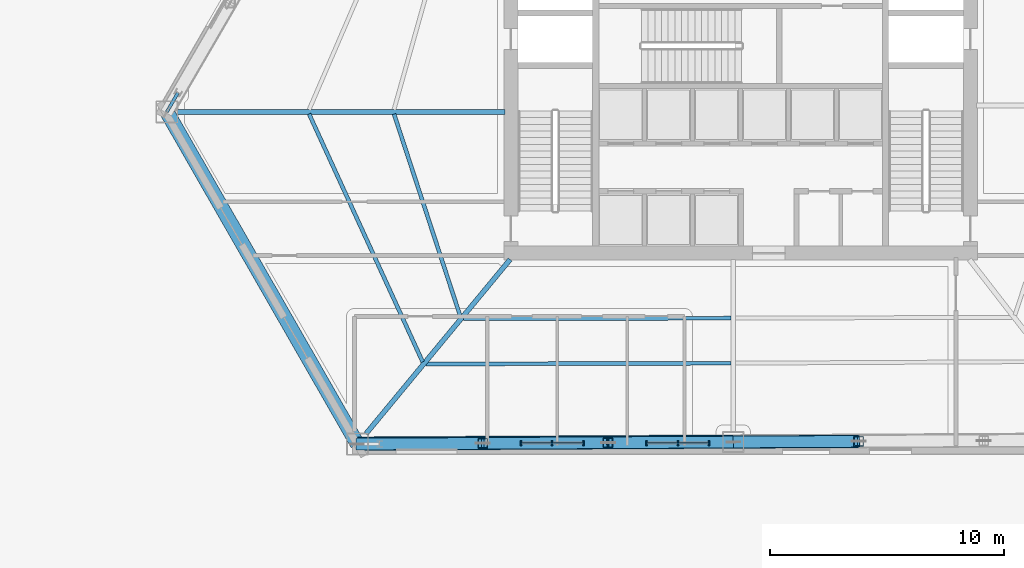
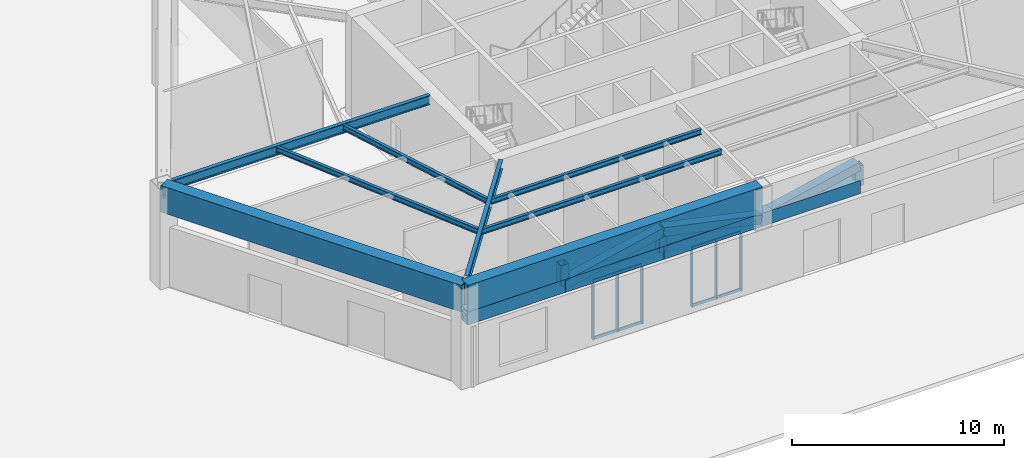
# One storey, part 4 of 20: 17 members, 13 beams, 2 elements without a shape of their own.
"""IFC4 building model written with IfcOpenShell, lengths in metres."""

from ifc_helpers import new_model, si_unit, direction, frame, origin, origin_2d, place, context, subcontext, project, spatial, rectangle, hollow_rectangle, i_section, extrude, material, layer, layer_set, material_profile, profile_set, type_object, element, aggregate, save


model = new_model("IFC4")

# Units and contexts
model_context = context("Model", 3, precision=1e-05, world=origin(), true_north=direction((0.0, 1.0)))
body_context = subcontext(model_context, "Body", "Model", "MODEL_VIEW")
ifc_project = project(units=[si_unit("LENGTHUNIT", "METRE"), si_unit("AREAUNIT", "SQUARE_METRE"), si_unit("VOLUMEUNIT", "CUBIC_METRE"), si_unit("PLANEANGLEUNIT", "RADIAN"), si_unit("MASSUNIT", "GRAM", prefix="KILO")], contexts=[model_context])

# Site, building, storey
site_placement = place(None, origin())
site = spatial("IfcSite", under=ifc_project, at=site_placement, CompositionType="ELEMENT")
building_placement = place(site_placement, origin())
building = spatial("IfcBuilding", under=site, at=building_placement, Name="Kavelnor Concourse Tower", CompositionType="ELEMENT")
storey_placement = place(building_placement, origin())
storey = spatial("IfcBuildingStorey", under=building, at=storey_placement, Name="L00", CompositionType="ELEMENT", Elevation=0.0)

# Beams
ifc_material_1 = material(Name="Steel Grade 350", Category="steel")
ifc_material_profile_1 = material_profile(ifc_material_1, i_section(OverallWidth=0.166015625, OverallDepth=0.306884765625, WebThickness=0.006591796875, FlangeThickness=0.01171875, at=origin_2d()), Name="310UB46")
ifc_profile_set_1 = profile_set([ifc_material_profile_1], Name="Steel Grade 350")
beam_type_1 = type_object("IfcBeamType", Name="BM-JOIST-310", PredefinedType="JOIST", material=ifc_profile_set_1)
beam_1_placement = place(storey_placement, frame((23.188720703125, 15.24609375, 5.58642578125), z_axis=(0.311389535049, -0.950282356703, 0.0), x_axis=(0.950282356703, 0.311389535049, 0.0)))
element("IfcBeam", 1, at=beam_1_placement, inside=storey, type_object=beam_type_1, Name="L00 Composite Floor Joist 01-1", PredefinedType="JOIST", context=body_context, shape_type="SweptSolid", body=[
    extrude(i_section(OverallWidth=0.166015625, OverallDepth=0.306884765625, WebThickness=0.006591796875, FlangeThickness=0.01171875, at=origin_2d()), origin(), (0.0, 0.0, 1.0), 9.105712890625),
])
beam_2_placement = place(storey_placement, frame((19.5576171875, 15.250244140625, 5.58642578125), z_axis=(0.416568886503, -0.909104153988, 0.0), x_axis=(0.909104153988, 0.416568886503, 0.0)))
element("IfcBeam", 2, at=beam_2_placement, inside=storey, type_object=beam_type_1, Name="L00 Composite Floor Joist 01-2", PredefinedType="JOIST", context=body_context, shape_type="SweptSolid", body=[
    extrude(i_section(OverallWidth=0.166015625, OverallDepth=0.306884765625, WebThickness=0.006591796875, FlangeThickness=0.01171875, at=origin_2d()), origin(), (0.0, 0.0, 1.0), 11.656494140625),
])
beam_3_placement = place(storey_placement, frame((26.15283203125, 6.5, 5.58642578125), z_axis=(0.999997855186, 0.002071140453, 0.0), x_axis=(-0.002071140453, 0.999997855186, 0.0)))
element("IfcBeam", 3, at=beam_3_placement, inside=storey, type_object=beam_type_1, Name="L00 Composite Floor Joist 02-1", PredefinedType="JOIST", context=body_context, shape_type="SweptSolid", body=[
    extrude(i_section(OverallWidth=0.166015625, OverallDepth=0.306884765625, WebThickness=0.006591796875, FlangeThickness=0.01171875, at=origin_2d()), origin(), (0.0, 0.0, 1.0), 11.43408203125),
])
beam_4_placement = place(storey_placement, frame((24.55224609375, 4.564453125, 5.58642578125), z_axis=(0.999996362753, 0.002697124485, 0.0), x_axis=(-0.002697124485, 0.999996362753, 0.0)))
element("IfcBeam", 4, at=beam_4_placement, inside=storey, type_object=beam_type_1, Name="L00 Composite Floor Joist 02-2", PredefinedType="JOIST", context=body_context, shape_type="SweptSolid", body=[
    extrude(i_section(OverallWidth=0.166015625, OverallDepth=0.306884765625, WebThickness=0.006591796875, FlangeThickness=0.01171875, at=origin_2d()), origin(), (0.0, 0.0, 1.0), 13.03466796875),
])
ifc_material_profile_2 = material_profile(ifc_material_1, i_section(OverallWidth=0.134033203125, OverallDepth=0.20703125, WebThickness=0.00634765625, FlangeThickness=0.009521484375, at=origin_2d()), Name="200UB29")
ifc_profile_set_2 = profile_set([ifc_material_profile_2], Name="Steel Grade 350")
beam_type_2 = type_object("IfcBeamType", Name="BM-LINTEL-200", PredefinedType="LINTEL", material=ifc_profile_set_2)
beam_5_placement = place(storey_placement, frame((13.479736328125, 15.33935546875, 4.89990234375), z_axis=(0.502464100164, 0.864598073122, 0.0), x_axis=(-0.864598073122, 0.502464100164, 0.0)))
element("IfcBeam", 5, at=beam_5_placement, inside=storey, type_object=beam_type_2, Name="L00 Pier Stiffener Header Lintel F0-B", PredefinedType="LINTEL", context=body_context, shape_type="SweptSolid", body=[
    extrude(i_section(OverallWidth=0.134033203125, OverallDepth=0.20703125, WebThickness=0.00634765625, FlangeThickness=0.009521484375, at=origin_2d()), origin(), (0.0, 0.0, 1.0), 0.949951171875),
])
ifc_material_profile_3 = material_profile(ifc_material_1, i_section(OverallWidth=0.208984375, OverallDepth=0.528076171875, WebThickness=0.009521484375, FlangeThickness=0.01318359375, at=origin_2d()), Name="530UB82")
ifc_profile_set_3 = profile_set([ifc_material_profile_3], Name="Steel Grade 350")
beam_type_3 = type_object("IfcBeamType", Name="BM-PRIMARY-530", PredefinedType="BEAM", material=ifc_profile_set_3)
beam_6_placement = place(storey_placement, frame((27.919921875, 15.33935546875, 5.47607421875), z_axis=(-1.0, 0.0, 0.0), x_axis=(0.0, -1.0, 0.0)))
element("IfcBeam", 6, at=beam_6_placement, inside=storey, type_object=beam_type_3, Name="L00 Primary Floor Girder MC-V2", PredefinedType="BEAM", context=body_context, shape_type="SweptSolid", body=[
    extrude(i_section(OverallWidth=0.208984375, OverallDepth=0.528076171875, WebThickness=0.009521484375, FlangeThickness=0.01318359375, at=origin_2d()), origin(), (0.0, 0.0, 1.0), 14.005126953125),
])
beam_7_placement = place(storey_placement, frame((28.147705078125, 9.03076171875, 5.47607421875), z_axis=(-0.6372836995, -0.770629279454, 0.0), x_axis=(0.770629279454, -0.6372836995, 0.0)))
element("IfcBeam", 7, at=beam_7_placement, inside=storey, type_object=beam_type_3, Name="L00 Primary Floor Girder MC-V3", PredefinedType="BEAM", context=body_context, shape_type="SweptSolid", body=[
    extrude(i_section(OverallWidth=0.208984375, OverallDepth=0.528076171875, WebThickness=0.009521484375, FlangeThickness=0.01318359375, at=origin_2d()), origin(), (0.0, 0.0, 1.0), 9.65966796875),
])
ifc_material_profile_4 = material_profile(ifc_material_1, hollow_rectangle(XDim=0.550048828125, YDim=0.75, WallThickness=0.034912109375, at=origin_2d()), Name="RHS 750x550x35")
ifc_profile_set_4 = profile_set([ifc_material_profile_4], Name="Steel Grade 350")
beam_type_4 = type_object("IfcBeamType", Name="BM-XFER-CHORD-750", PredefinedType="BEAM", material=ifc_profile_set_4)
for number, where, z_axis, x_axis, name in (
    (8, (21.62451171875, 1.142333984375, 3.81494140625), (0.999985026453, 0.005472373366, 0.0), (-0.005472373366, 0.999985026453, 0.0), "L00 Concourse Transfer Truss Bottom Chord F1-B0"),
    (9, (26.97802734375, 1.171630859375, 3.81494140625), (0.999985274967, 0.005426771603, 0.0), (-0.005426771603, 0.999985274967, 0.0), "L00 Concourse Transfer Truss Bottom Chord F1-B1"),
    (10, (32.33154296875, 1.20068359375, 3.81494140625), (0.999985026453, 0.005472373366, 0.0), (-0.005472373366, 0.999985026453, 0.0), "L00 Concourse Transfer Truss Bottom Chord F1-B2"),
    (11, (37.68505859375, 1.22998046875, 3.81494140625), (0.999985026453, 0.005472373366, 0.0), (-0.005472373366, 0.999985026453, 0.0), "L00 Concourse Transfer Truss Bottom Chord F1-B3"),
):
    element("IfcBeam", number, at=place(storey_placement, frame(where, z_axis=z_axis, x_axis=x_axis)), inside=storey, type_object=beam_type_4, Name=name, PredefinedType="BEAM", context=body_context, shape_type="SweptSolid", body=[
        extrude(hollow_rectangle(XDim=0.550048828125, YDim=0.75, WallThickness=0.034912109375, at=origin_2d()), origin(), (0.0, 0.0, 1.0), 5.353515625),
    ])
ifc_material_profile_5 = material_profile(ifc_material_1, hollow_rectangle(XDim=0.6201171875, YDim=1.52001953125, WallThickness=0.0400390625, at=origin_2d()), Name="RHS 1520x620x40")
ifc_profile_set_5 = profile_set([ifc_material_profile_5], Name="Steel Grade 350")
beam_type_5 = type_object("IfcBeamType", Name="BM-XFER-CHORD-850", PredefinedType="BEAM", material=ifc_profile_set_5)
beam_8_placement = place(storey_placement, frame((21.62451171875, 1.142333984375, 4.97998046875), z_axis=(0.999985109522, 0.005457172782, 0.0), x_axis=(-0.005457172782, 0.999985109522, 0.0)))
element("IfcBeam", 12, at=beam_8_placement, inside=storey, type_object=beam_type_5, Name="L00 Concourse Transfer Truss Top Chord Girder F1-S1", PredefinedType="BEAM", context=body_context, shape_type="SweptSolid", body=[
    extrude(hollow_rectangle(XDim=0.6201171875, YDim=1.52001953125, WallThickness=0.0400390625, at=origin_2d()), origin(), (0.0, 0.0, 1.0), 16.060791015625),
])
beam_9_placement = place(storey_placement, frame((13.479736328125, 15.33935546875, 4.97998046875), z_axis=(0.497620889823, -0.867394633377, 0.0), x_axis=(0.867394633377, 0.497620889823, 0.0)))
element("IfcBeam", 13, at=beam_9_placement, inside=storey, type_object=beam_type_5, Name="L00 Concourse Transfer Truss Corner Tie C1", PredefinedType="BEAM", context=body_context, shape_type="SweptSolid", body=[
    extrude(hollow_rectangle(XDim=0.6201171875, YDim=1.52001953125, WallThickness=0.0400390625, at=origin_2d()), origin(), (0.0, 0.0, 1.0), 16.367431640625),
])

# Curtain wall, members
ifc_material_2 = material(Name="Anodised aluminium 6063-T6", Category="aluminium")
ifc_layer = layer(ifc_material_2, 0.199951171875, Name="Anodised aluminium 6063-T6")
ifc_layer_set = layer_set([ifc_layer], Name="Anodised aluminium 6063-T6")
curtain_wall_type = type_object("IfcCurtainWallType", Name="CW-CONCOURSE", PredefinedType="NOTDEFINED", material=ifc_layer_set)
curtain_wall_1_placement = place(storey_placement, origin())
curtain_wall_1 = element("IfcCurtainWall", 14, at=curtain_wall_1_placement, inside=storey, type_object=curtain_wall_type, Name="L00 Street Concourse Shopfront Curtain Wall 5", PredefinedType="NOTDEFINED")
ifc_material_profile_6 = material_profile(ifc_material_2, rectangle(XDim=0.06494140625, YDim=0.199951171875, at=origin_2d()), Name="AL-MULL 65x200")
ifc_profile_set_6 = profile_set([ifc_material_profile_6], Name="Anodised aluminium 6063-T6")
member_type_1 = type_object("IfcMemberType", Name="CW-CONCOURSE-MULL", PredefinedType="MULLION", material=ifc_profile_set_6)
member_1_placement = place(storey_placement, frame((28.61474609375, 1.179931640625, 0.0), z_axis=(0.0, 0.0, 1.0), x_axis=(1.0, 0.0, 0.0)))
member_1 = element("IfcMember", 15, at=member_1_placement, type_object=member_type_1, Name="L00 Street Concourse Shopfront Curtain Wall 5 Mullion 0", PredefinedType="MULLION", context=body_context, shape_type="SweptSolid", body=[
    extrude(rectangle(XDim=0.06494140625, YDim=0.199951171875, at=origin_2d()), origin(), (0.0, 0.0, 1.0), 3.419921875),
])
member_2_placement = place(storey_placement, frame((29.948486328125, 1.179931640625, 0.0), z_axis=(0.0, 0.0, 1.0), x_axis=(1.0, 0.0, 0.0)))
member_2 = element("IfcMember", 16, at=member_2_placement, type_object=member_type_1, Name="L00 Street Concourse Shopfront Curtain Wall 5 Mullion 1", PredefinedType="MULLION", context=body_context, shape_type="SweptSolid", body=[
    extrude(rectangle(XDim=0.06494140625, YDim=0.199951171875, at=origin_2d()), origin(), (0.0, 0.0, 1.0), 3.419921875),
])
member_3_placement = place(storey_placement, frame((31.282470703125, 1.179931640625, 0.0), z_axis=(0.0, 0.0, 1.0), x_axis=(1.0, 0.0, 0.0)))
member_3 = element("IfcMember", 17, at=member_3_placement, type_object=member_type_1, Name="L00 Street Concourse Shopfront Curtain Wall 5 Mullion 2", PredefinedType="MULLION", context=body_context, shape_type="SweptSolid", body=[
    extrude(rectangle(XDim=0.06494140625, YDim=0.199951171875, at=origin_2d()), origin(), (0.0, 0.0, 1.0), 3.419921875),
])

curtain_wall_2_placement = place(storey_placement, origin())
curtain_wall_2 = element("IfcCurtainWall", 18, at=curtain_wall_2_placement, inside=storey, type_object=curtain_wall_type, Name="L00 Street Concourse Shopfront Curtain Wall 6", PredefinedType="NOTDEFINED")
member_4_placement = place(storey_placement, frame((33.982421875, 1.179931640625, 0.0), z_axis=(0.0, 0.0, 1.0), x_axis=(1.0, 0.0, 0.0)))
member_4 = element("IfcMember", 19, at=member_4_placement, type_object=member_type_1, Name="L00 Street Concourse Shopfront Curtain Wall 6 Mullion 0", PredefinedType="MULLION", context=body_context, shape_type="SweptSolid", body=[
    extrude(rectangle(XDim=0.06494140625, YDim=0.199951171875, at=origin_2d()), origin(), (0.0, 0.0, 1.0), 3.419921875),
])
member_5_placement = place(storey_placement, frame((35.316162109375, 1.179931640625, 0.0), z_axis=(0.0, 0.0, 1.0), x_axis=(1.0, 0.0, 0.0)))
member_5 = element("IfcMember", 20, at=member_5_placement, type_object=member_type_1, Name="L00 Street Concourse Shopfront Curtain Wall 6 Mullion 1", PredefinedType="MULLION", context=body_context, shape_type="SweptSolid", body=[
    extrude(rectangle(XDim=0.06494140625, YDim=0.199951171875, at=origin_2d()), origin(), (0.0, 0.0, 1.0), 3.419921875),
])
member_6_placement = place(storey_placement, frame((36.64990234375, 1.179931640625, 0.0), z_axis=(0.0, 0.0, 1.0), x_axis=(1.0, 0.0, 0.0)))
member_6 = element("IfcMember", 21, at=member_6_placement, type_object=member_type_1, Name="L00 Street Concourse Shopfront Curtain Wall 6 Mullion 2", PredefinedType="MULLION", context=body_context, shape_type="SweptSolid", body=[
    extrude(rectangle(XDim=0.06494140625, YDim=0.199951171875, at=origin_2d()), origin(), (0.0, 0.0, 1.0), 3.419921875),
])

# Member
ifc_material_profile_7 = material_profile(ifc_material_2, rectangle(XDim=0.06494140625, YDim=0.159912109375, at=origin_2d()), Name="AL-TRAN 65x160")
ifc_profile_set_7 = profile_set([ifc_material_profile_7], Name="Anodised aluminium 6063-T6")
member_type_2 = type_object("IfcMemberType", Name="CW-CONCOURSE-TRAN", PredefinedType="USERDEFINED", material=ifc_profile_set_7)
member_7_placement = place(storey_placement, frame((28.61474609375, 1.179931640625, 0.06005859375), z_axis=(1.0, 0.0, 0.0), x_axis=(0.0, 1.0, 0.0)))
member_7 = element("IfcMember", 22, at=member_7_placement, type_object=member_type_2, Name="L00 Street Concourse Shopfront Curtain Wall 5 Transom 0-BOT", ObjectType="TRANSOM", PredefinedType="USERDEFINED", context=body_context, shape_type="SweptSolid", body=[
    extrude(rectangle(XDim=0.06494140625, YDim=0.159912109375, at=origin_2d()), origin(), (0.0, 0.0, 1.0), 2.667724609375),
])

member_8_placement = place(storey_placement, frame((28.61474609375, 1.179931640625, 3.360107421875), z_axis=(1.0, 0.0, 0.0), x_axis=(0.0, 1.0, 0.0)))
member_8 = element("IfcMember", 23, at=member_8_placement, type_object=member_type_2, Name="L00 Street Concourse Shopfront Curtain Wall 5 Transom 0-TOP", ObjectType="TRANSOM", PredefinedType="USERDEFINED", context=body_context, shape_type="SweptSolid", body=[
    extrude(rectangle(XDim=0.06494140625, YDim=0.159912109375, at=origin_2d()), origin(), (0.0, 0.0, 1.0), 2.667724609375),
])

aggregate(curtain_wall_1, [member_1, member_2, member_3, member_7, member_8])

member_9_placement = place(storey_placement, frame((33.982421875, 1.179931640625, 0.06005859375), z_axis=(1.0, 0.0, 0.0), x_axis=(0.0, 1.0, 0.0)))
member_9 = element("IfcMember", 24, at=member_9_placement, type_object=member_type_2, Name="L00 Street Concourse Shopfront Curtain Wall 6 Transom 0-BOT", ObjectType="TRANSOM", PredefinedType="USERDEFINED", context=body_context, shape_type="SweptSolid", body=[
    extrude(rectangle(XDim=0.06494140625, YDim=0.159912109375, at=origin_2d()), origin(), (0.0, 0.0, 1.0), 2.66748046875),
])

member_10_placement = place(storey_placement, frame((33.982421875, 1.179931640625, 3.360107421875), z_axis=(1.0, 0.0, 0.0), x_axis=(0.0, 1.0, 0.0)))
member_10 = element("IfcMember", 25, at=member_10_placement, type_object=member_type_2, Name="L00 Street Concourse Shopfront Curtain Wall 6 Transom 0-TOP", ObjectType="TRANSOM", PredefinedType="USERDEFINED", context=body_context, shape_type="SweptSolid", body=[
    extrude(rectangle(XDim=0.06494140625, YDim=0.159912109375, at=origin_2d()), origin(), (0.0, 0.0, 1.0), 2.66748046875),
])

aggregate(curtain_wall_2, [member_4, member_5, member_6, member_9, member_10])

# Members
ifc_material_profile_8 = material_profile(ifc_material_1, hollow_rectangle(XDim=0.5, YDim=0.5, WallThickness=0.031982421875, at=origin_2d()), Name="SHS 500x500x32")
ifc_profile_set_8 = profile_set([ifc_material_profile_8], Name="Steel Grade 350")
member_type_3 = type_object("IfcMemberType", Name="MBR-XFER-DIAG-500", PredefinedType="BRACE", material=ifc_profile_set_8)
for number, where, z_axis, x_axis, name in (
    (26, (21.62451171875, 1.142333984375, 3.81494140625), (0.977115718706, 0.005347222102, 0.212641198908), (-0.005472373366, 0.999985026453, 0.0), "L00 Concourse Transfer Truss Diagonal F1-B0"),
    (27, (26.97802734375, 1.171630859375, 3.81494140625), (0.977115950557, 0.005302663176, 0.212641249364), (-0.005426771603, 0.999985274967, 0.0), "L00 Concourse Transfer Truss Diagonal F1-B1"),
    (28, (37.68505859375, 1.22998046875, 3.81494140625), (-0.977115718706, -0.005347222102, 0.212641198908), (0.005472373366, -0.999985026453, 0.0), "L00 Concourse Transfer Truss Diagonal F1-B2"),
    (29, (37.68505859375, 1.22998046875, 3.81494140625), (0.977115718706, 0.005347222102, 0.212641198908), (-0.005472373366, 0.999985026453, 0.0), "L00 Concourse Transfer Truss Diagonal F1-B3"),
):
    element("IfcMember", number, at=place(storey_placement, frame(where, z_axis=z_axis, x_axis=x_axis)), inside=storey, type_object=member_type_3, Name=name, PredefinedType="BRACE", context=body_context, shape_type="SweptSolid", body=[
        extrude(hollow_rectangle(XDim=0.5, YDim=0.5, WallThickness=0.031982421875, at=origin_2d()), origin(), (0.0, 0.0, 1.0), 5.47900390625),
    ])
ifc_material_profile_9 = material_profile(ifc_material_1, hollow_rectangle(XDim=0.419921875, YDim=0.419921875, WallThickness=0.028076171875, at=origin_2d()), Name="SHS 420x420x28")
ifc_profile_set_9 = profile_set([ifc_material_profile_9], Name="Steel Grade 350")
member_type_4 = type_object("IfcMemberType", Name="MBR-XFER-POST-420", PredefinedType="CHORD", material=ifc_profile_set_9)
for number, where, z_axis, x_axis, name in (
    (30, (26.97802734375, 1.171630859375, 3.81494140625), (0.0, 0.0, 1.0), (1.0, 0.0, 0.0), "L00 Concourse Transfer Truss Web Post F1-B1"),
    (31, (32.33154296875, 1.20068359375, 3.81494140625), (0.0, 0.0, 1.0), (1.0, 0.0, 0.0), "L00 Concourse Transfer Truss Web Post F1-B2"),
    (32, (43.03857421875, 1.25927734375, 3.81494140625), (0.0, 0.0, 1.0), (1.0, 0.0, 0.0), "L00 Concourse Transfer Truss Web Post F1-B4"),
):
    element("IfcMember", number, at=place(storey_placement, frame(where, z_axis=z_axis, x_axis=x_axis)), inside=storey, type_object=member_type_4, Name=name, PredefinedType="CHORD", context=body_context, shape_type="SweptSolid", body=[
        extrude(hollow_rectangle(XDim=0.419921875, YDim=0.419921875, WallThickness=0.028076171875, at=origin_2d()), origin(), (0.0, 0.0, 1.0), 1.1650390625),
    ])

save(model, "model.ifc")
